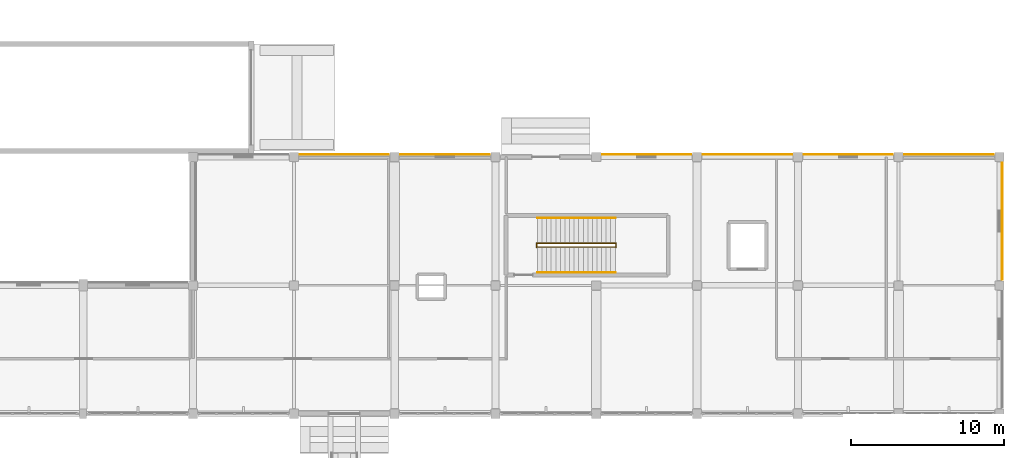
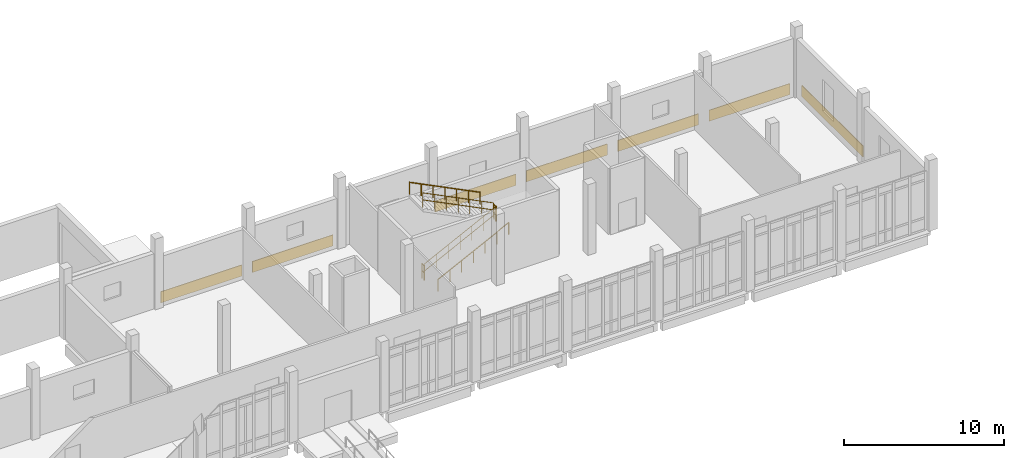
# One storey, part 110 of 110: 7 coverings, 6 railings.
"""IFC4 building model written with IfcOpenShell, lengths in metres."""

from ifc_helpers import new_model, si_unit, direction, frame, origin, origin_2d, place, context, subcontext, project, spatial, rectangle, circle, extrude, material, layer, layer_set, type_object, element, save


model = new_model("IFC4")

# Units and contexts
model_context = context("Model", 3, precision=1e-05, world=origin(), true_north=direction((0.0, 1.0)))
body_context = subcontext(model_context, "Body", "Model", "MODEL_VIEW")
ifc_project = project(units=[si_unit("LENGTHUNIT", "METRE"), si_unit("AREAUNIT", "SQUARE_METRE"), si_unit("VOLUMEUNIT", "CUBIC_METRE"), si_unit("PLANEANGLEUNIT", "RADIAN"), si_unit("MASSUNIT", "GRAM", prefix="KILO")], contexts=[model_context])

# Site, building, storey
site_placement = place(None, origin())
site = spatial("IfcSite", under=ifc_project, at=site_placement, CompositionType="ELEMENT")
building_placement = place(site_placement, origin())
building = spatial("IfcBuilding", under=site, at=building_placement, Name="Kalluvel Institute of Natural Sciences", CompositionType="ELEMENT")
storey_placement = place(building_placement, origin())
storey = spatial("IfcBuildingStorey", under=building, at=storey_placement, Name="L00", CompositionType="ELEMENT", Elevation=0.0)

# Coverings
ifc_material_1 = material(Name="Sadarahalli Grey Granite Ashlar Concrete M40", Category="masonry")
ifc_layer = layer(ifc_material_1, 0.044921875)
ifc_layer_set = layer_set([ifc_layer], Name="Sadarahalli Grey Granite Ashlar Concrete M40")
covering_type = type_object("IfcCoveringType", Name="COV-CLAD-STONE", PredefinedType="CLADDING", material=ifc_layer_set)
for number, where, z_axis, x_axis, name in (
    (1, (139.10009765625, 119.780029296875, 0.02490234375), (0.0, 0.0, 1.0), (1.0, 0.0, 0.0), "L00 Sadarahalli granite plinth spandrel cladding 339"),
    (2, (145.699951171875, 119.780029296875, 0.02490234375), (0.0, 0.0, 1.0), (1.0, 0.0, 0.0), "L00 Sadarahalli granite plinth spandrel cladding 340"),
    (3, (158.89990234375, 119.780029296875, 0.02490234375), (0.0, 0.0, 1.0), (1.0, 0.0, 0.0), "L00 Sadarahalli granite plinth spandrel cladding 341"),
    (4, (165.5, 119.780029296875, 0.02490234375), (0.0, 0.0, 1.0), (1.0, 0.0, 0.0), "L00 Sadarahalli granite plinth spandrel cladding 342"),
    (5, (172.10009765625, 119.780029296875, 0.02490234375), (0.0, 0.0, 1.0), (1.0, 0.0, 0.0), "L00 Sadarahalli granite plinth spandrel cladding 343"),
    (6, (178.699951171875, 119.780029296875, 0.02490234375), (0.0, 0.0, 1.0), (1.0, 0.0, 0.0), "L00 Sadarahalli granite plinth spandrel cladding 344"),
):
    element("IfcCovering", number, at=place(storey_placement, frame(where, z_axis=z_axis, x_axis=x_axis)), inside=storey, type_object=covering_type, Name=name, PredefinedType="CLADDING", context=body_context, shape_type="SweptSolid", body=[
        extrude(rectangle(XDim=5.840087890625, YDim=0.044921875, at=origin_2d()), origin(), (0.0, 0.0, 1.0), 0.85009765625),
    ])
covering_placement = place(storey_placement, frame((182.179931640625, 115.39990234375, 0.02490234375), z_axis=(0.0, 0.0, 1.0), x_axis=(0.0, 1.0, 0.0)))
element("IfcCovering", 7, at=covering_placement, inside=storey, type_object=covering_type, Name="L00 Sadarahalli granite plinth spandrel cladding 346", PredefinedType="CLADDING", context=body_context, shape_type="SweptSolid", body=[
    extrude(rectangle(XDim=7.639892578125, YDim=0.044921875, at=origin_2d()), origin(), (0.0, 0.0, 1.0), 0.85009765625),
])

# Railings
ifc_material_2 = material(Name="Galvanized Fire-Rated Steel", Category="steel")
railing_type_1 = type_object("IfcRailingType", Name="RL-GD-STAIR", PredefinedType="BALUSTRADE", material=ifc_material_2)
railing_1_placement = place(storey_placement, frame((151.75, 113.7099609375, 0.14990234375)))
element("IfcRailing", 8, at=railing_1_placement, inside=storey, type_object=railing_type_1, Name="L00 ST5 stair guard 1", PredefinedType="BALUSTRADE", context=body_context, shape_type="SweptSolid", body=[
    extrude(circle(Radius=0.02392578125, at=origin_2d()), frame((0.0, 0.0, 1.09619140625), z_axis=(0.894427191, 0.0, 0.4472135955), x_axis=(0.0, 1.0, 0.0)), (0.0, 0.0, 1.0), 5.7021484375),
    extrude(circle(Radius=0.02392578125, at=origin_2d()), frame((0.0, 0.0, 0.56005859375), z_axis=(0.894427191, 0.0, 0.4472135955), x_axis=(0.0, 1.0, 0.0)), (0.0, 0.0, 1.0), 5.7021484375),
    extrude(circle(Radius=0.02099609375, at=origin_2d()), origin(), (0.0, 0.0, 1.0), 1.072021484375),
    extrude(circle(Radius=0.02099609375, at=origin_2d()), frame((0.85009765625, 0.0, 0.425048828125)), (0.0, 0.0, 1.0), 1.072021484375),
    extrude(circle(Radius=0.02099609375, at=origin_2d()), frame((1.699951171875, 0.0, 0.85009765625)), (0.0, 0.0, 1.0), 1.072021484375),
    extrude(circle(Radius=0.02099609375, at=origin_2d()), frame((2.550048828125, 0.0, 1.27490234375)), (0.0, 0.0, 1.0), 1.072021484375),
    extrude(circle(Radius=0.02099609375, at=origin_2d()), frame((3.400146484375, 0.0, 1.699951171875)), (0.0, 0.0, 1.0), 1.072021484375),
    extrude(circle(Radius=0.02099609375, at=origin_2d()), frame((4.25, 0.0, 2.125)), (0.0, 0.0, 1.0), 1.072021484375),
    extrude(circle(Radius=0.02099609375, at=origin_2d()), frame((5.10009765625, 0.0, 2.550048828125)), (0.0, 0.0, 1.0), 1.072021484375),
])
railing_2_placement = place(storey_placement, frame((156.89990234375, 113.695068359375, 2.699951171875)))
element("IfcRailing", 9, at=railing_2_placement, inside=storey, type_object=railing_type_1, Name="L00 ST5 stair guard 2", PredefinedType="BALUSTRADE", context=body_context, shape_type="SweptSolid", body=[
    extrude(circle(Radius=0.02392578125, at=origin_2d()), frame((0.0, 0.0, 1.09619140625), z_axis=(0.0, 1.0, 0.0), x_axis=(-1.0, 0.0, 0.0)), (0.0, 0.0, 1.0), 0.280029296875),
    extrude(circle(Radius=0.02392578125, at=origin_2d()), frame((0.0, 0.0, 0.56005859375), z_axis=(0.0, 1.0, 0.0), x_axis=(-1.0, 0.0, 0.0)), (0.0, 0.0, 1.0), 0.280029296875),
    extrude(circle(Radius=0.02099609375, at=origin_2d()), origin(), (0.0, 0.0, 1.0), 1.072021484375),
    extrude(circle(Radius=0.02099609375, at=origin_2d()), frame((0.0, 0.280029296875, 0.0)), (0.0, 0.0, 1.0), 1.072021484375),
])
railing_3_placement = place(storey_placement, frame((156.85009765625, 113.9599609375, 2.85009765625)))
element("IfcRailing", 10, at=railing_3_placement, inside=storey, type_object=railing_type_1, Name="L00 ST5 stair guard 3", PredefinedType="BALUSTRADE", context=body_context, shape_type="SweptSolid", body=[
    extrude(circle(Radius=0.02392578125, at=origin_2d()), frame((0.0, 0.0, 1.09619140625), z_axis=(-0.89444431709, 0.0, 0.44717934168), x_axis=(0.0, -1.0, 0.0)), (0.0, 0.0, 1.0), 5.701904296875),
    extrude(circle(Radius=0.02392578125, at=origin_2d()), frame((0.0, 0.0, 0.56005859375), z_axis=(-0.89444431709, 0.0, 0.44717934168), x_axis=(0.0, -1.0, 0.0)), (0.0, 0.0, 1.0), 5.701904296875),
    extrude(circle(Radius=0.02099609375, at=origin_2d()), origin(), (0.0, 0.0, 1.0), 1.072021484375),
    extrude(circle(Radius=0.02099609375, at=origin_2d()), frame((-0.85009765625, 0.0, 0.425048828125)), (0.0, 0.0, 1.0), 1.072021484375),
    extrude(circle(Radius=0.02099609375, at=origin_2d()), frame((-1.699951171875, 0.0, 0.849853515625)), (0.0, 0.0, 1.0), 1.072021484375),
    extrude(circle(Radius=0.02099609375, at=origin_2d()), frame((-2.550048828125, 0.0, 1.27490234375)), (0.0, 0.0, 1.0), 1.072021484375),
    extrude(circle(Radius=0.02099609375, at=origin_2d()), frame((-3.400146484375, 0.0, 1.699951171875)), (0.0, 0.0, 1.0), 1.072021484375),
    extrude(circle(Radius=0.02099609375, at=origin_2d()), frame((-4.25, 0.0, 2.124755859375)), (0.0, 0.0, 1.0), 1.072021484375),
    extrude(circle(Radius=0.02099609375, at=origin_2d()), frame((-5.10009765625, 0.0, 2.5498046875)), (0.0, 0.0, 1.0), 1.072021484375),
])
railing_4_placement = place(storey_placement, frame((151.699951171875, 113.695068359375, 0.0)))
element("IfcRailing", 11, at=railing_4_placement, inside=storey, type_object=railing_type_1, Name="L00 ST5 stair guard 4", PredefinedType="BALUSTRADE", context=body_context, shape_type="SweptSolid", body=[
    extrude(circle(Radius=0.02392578125, at=origin_2d()), frame((0.0, 0.0, 1.09619140625), z_axis=(0.0, 1.0, 0.0), x_axis=(-1.0, 0.0, 0.0)), (0.0, 0.0, 1.0), 0.280029296875),
    extrude(circle(Radius=0.02392578125, at=origin_2d()), frame((0.0, 0.0, 0.56005859375), z_axis=(0.0, 1.0, 0.0), x_axis=(-1.0, 0.0, 0.0)), (0.0, 0.0, 1.0), 0.280029296875),
    extrude(circle(Radius=0.02099609375, at=origin_2d()), origin(), (0.0, 0.0, 1.0), 1.072021484375),
    extrude(circle(Radius=0.02099609375, at=origin_2d()), frame((0.0, 0.280029296875, 0.0)), (0.0, 0.0, 1.0), 1.072021484375),
])
railing_type_2 = type_object("IfcRailingType", Name="RL-HR-STAIR", PredefinedType="HANDRAIL", material=ifc_material_2)
railing_5_placement = place(storey_placement, frame((151.75, 112.050048828125, 0.14990234375)))
element("IfcRailing", 12, at=railing_5_placement, inside=storey, type_object=railing_type_2, Name="L00 ST5 stair handrail 1", PredefinedType="HANDRAIL", context=body_context, shape_type="SweptSolid", body=[
    extrude(circle(Radius=0.02392578125, at=origin_2d()), frame((0.0, 0.0, 0.89599609375), z_axis=(0.894427191, 0.0, 0.4472135955), x_axis=(0.0, 1.0, 0.0)), (0.0, 0.0, 1.0), 5.7021484375),
    extrude(circle(Radius=0.02099609375, at=origin_2d()), origin(), (0.0, 0.0, 1.0), 0.871826171875),
    extrude(circle(Radius=0.02099609375, at=origin_2d()), frame((0.85009765625, 0.0, 0.425048828125)), (0.0, 0.0, 1.0), 0.871826171875),
    extrude(circle(Radius=0.02099609375, at=origin_2d()), frame((1.699951171875, 0.0, 0.85009765625)), (0.0, 0.0, 1.0), 0.871826171875),
    extrude(circle(Radius=0.02099609375, at=origin_2d()), frame((2.550048828125, 0.0, 1.27490234375)), (0.0, 0.0, 1.0), 0.871826171875),
    extrude(circle(Radius=0.02099609375, at=origin_2d()), frame((3.400146484375, 0.0, 1.699951171875)), (0.0, 0.0, 1.0), 0.871826171875),
    extrude(circle(Radius=0.02099609375, at=origin_2d()), frame((4.25, 0.0, 2.125)), (0.0, 0.0, 1.0), 0.871826171875),
    extrude(circle(Radius=0.02099609375, at=origin_2d()), frame((5.10009765625, 0.0, 2.550048828125)), (0.0, 0.0, 1.0), 0.871826171875),
])
railing_6_placement = place(storey_placement, frame((156.85009765625, 115.6201171875, 2.85009765625)))
element("IfcRailing", 13, at=railing_6_placement, inside=storey, type_object=railing_type_2, Name="L00 ST5 stair handrail 2", PredefinedType="HANDRAIL", context=body_context, shape_type="SweptSolid", body=[
    extrude(circle(Radius=0.02392578125, at=origin_2d()), frame((0.0, 0.0, 0.89599609375), z_axis=(-0.89444431709, 0.0, 0.44717934168), x_axis=(0.0, -1.0, 0.0)), (0.0, 0.0, 1.0), 5.701904296875),
    extrude(circle(Radius=0.02099609375, at=origin_2d()), origin(), (0.0, 0.0, 1.0), 0.871826171875),
    extrude(circle(Radius=0.02099609375, at=origin_2d()), frame((-0.85009765625, 0.0, 0.425048828125)), (0.0, 0.0, 1.0), 0.871826171875),
    extrude(circle(Radius=0.02099609375, at=origin_2d()), frame((-1.699951171875, 0.0, 0.849853515625)), (0.0, 0.0, 1.0), 0.871826171875),
    extrude(circle(Radius=0.02099609375, at=origin_2d()), frame((-2.550048828125, 0.0, 1.27490234375)), (0.0, 0.0, 1.0), 0.871826171875),
    extrude(circle(Radius=0.02099609375, at=origin_2d()), frame((-3.400146484375, 0.0, 1.699951171875)), (0.0, 0.0, 1.0), 0.871826171875),
    extrude(circle(Radius=0.02099609375, at=origin_2d()), frame((-4.25, 0.0, 2.124755859375)), (0.0, 0.0, 1.0), 0.871826171875),
    extrude(circle(Radius=0.02099609375, at=origin_2d()), frame((-5.10009765625, 0.0, 2.5498046875)), (0.0, 0.0, 1.0), 0.871826171875),
])

save(model, "model.ifc")
